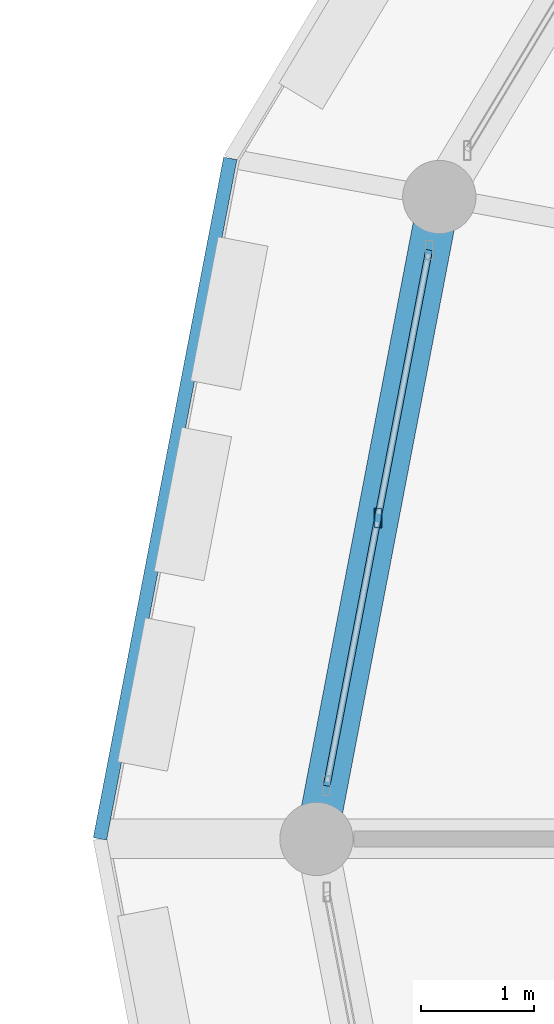
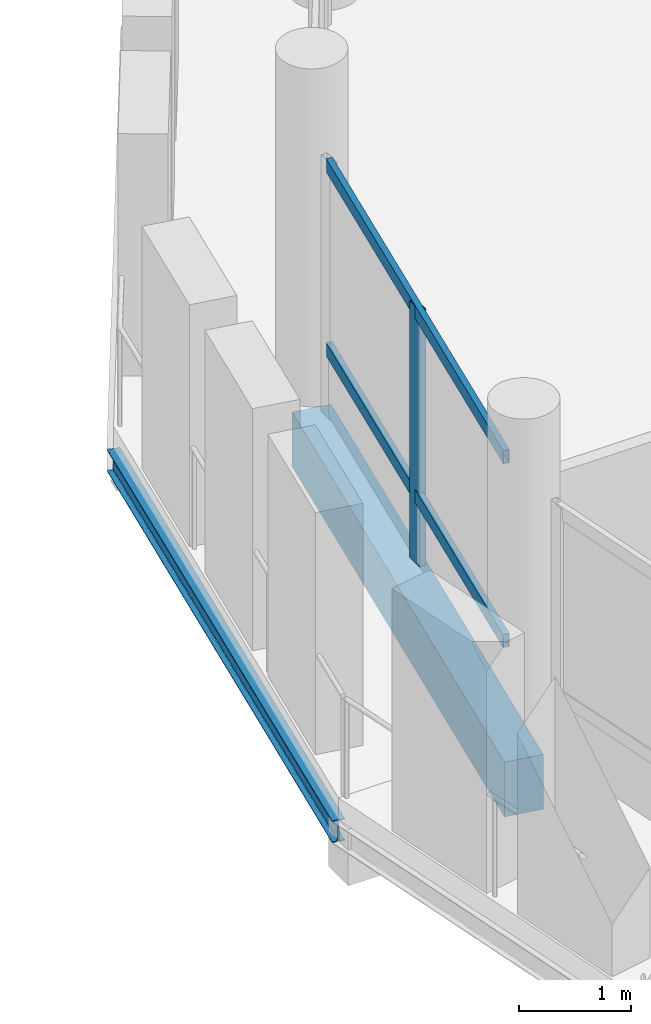
# One storey, part 18 of 84: 3 members, 2 beams, 1 element without a shape of its own.
"""IFC4 building model written with IfcOpenShell, lengths in metres."""

from ifc_helpers import new_model, si_unit, direction, frame, origin, origin_2d, place, context, subcontext, project, spatial, rectangle, hollow_rectangle, i_section, extrude, material, material_profile, profile_set, type_object, element, aggregate, save


model = new_model("IFC4")

# Units and contexts
model_context = context("Model", 3, precision=1e-05, world=origin(), true_north=direction((0.0, 1.0)))
body_context = subcontext(model_context, "Body", "Model", "MODEL_VIEW")
ifc_project = project(units=[si_unit("LENGTHUNIT", "METRE"), si_unit("AREAUNIT", "SQUARE_METRE"), si_unit("VOLUMEUNIT", "CUBIC_METRE"), si_unit("PLANEANGLEUNIT", "RADIAN"), si_unit("MASSUNIT", "GRAM", prefix="KILO")], contexts=[model_context])

# Site, building, storey
site_placement = place(None, origin())
site = spatial("IfcSite", under=ifc_project, at=site_placement, CompositionType="ELEMENT")
building_placement = place(site_placement, origin())
building = spatial("IfcBuilding", under=site, at=building_placement, Name="Zornivar Specialist Clinic", CompositionType="ELEMENT")
storey_placement = place(building_placement, frame((0.0, 0.0, 12.300048828125)))
storey = spatial("IfcBuildingStorey", under=building, at=storey_placement, Name="L03", CompositionType="ELEMENT", Elevation=12.300048828125)

# Beams
ifc_material_1 = material(Name="Concrete C30/37", Category="concrete")
ifc_material_profile_1 = material_profile(ifc_material_1, rectangle(XDim=0.3701171875, YDim=0.60009765625, at=origin_2d()), Name="RC 370x600")
ifc_profile_set_1 = profile_set([ifc_material_profile_1], Name="Concrete C30/37")
beam_type_1 = type_object("IfcBeamType", Name="BM-RC-SPANDREL-370x600", PredefinedType="SPANDREL", material=ifc_profile_set_1)
beam_1_placement = place(storey_placement, frame((62.68994140625, 63.2939453125, -0.5400390625), z_axis=(-0.187994479835, -0.982170084838, 0.0), x_axis=(0.982170084838, -0.187994479835, 0.0)))
element("IfcBeam", 1, at=beam_1_placement, inside=storey, type_object=beam_type_1, Name="bm:V1:L03:outring:11", PredefinedType="SPANDREL", context=body_context, shape_type="SweptSolid", body=[
    extrude(rectangle(XDim=0.3701171875, YDim=0.60009765625, at=origin_2d()), origin(), (0.0, 0.0, 1.0), 5.797119140625),
])
ifc_material_2 = material(Name="Steel S355J2", Category="steel")
ifc_material_profile_2 = material_profile(ifc_material_2, i_section(OverallWidth=0.1201171875, OverallDepth=0.239990234375, WebThickness=0.006103515625, FlangeThickness=0.009765625, FilletRadius=0.014892578125, at=origin_2d()), Name="IPE 240")
ifc_profile_set_2 = profile_set([ifc_material_profile_2], Name="Steel S355J2")
beam_type_2 = type_object("IfcBeamType", Name="BM-STL-IPE240", PredefinedType="JOIST", material=ifc_profile_set_2)
beam_2_placement = place(storey_placement, frame((60.8359375, 63.635986328125, -0.360107421875), z_axis=(-0.188103253611, -0.982149258505, 0.0), x_axis=(0.982149258505, -0.188103253611, 0.0)))
element("IfcBeam", 2, at=beam_2_placement, inside=storey, type_object=beam_type_2, Name="bm:V1:L03:balring:11", PredefinedType="JOIST", context=body_context, shape_type="SweptSolid", body=[
    extrude(i_section(OverallWidth=0.1201171875, OverallDepth=0.239990234375, WebThickness=0.006103515625, FlangeThickness=0.009765625, FilletRadius=0.014892578125, at=origin_2d()), origin(), (0.0, 0.0, 1.0), 6.1455078125),
])

# Curtain wall, members
ifc_material_3 = material(Name="Aluminium and Low-E Glass Curtain Wall", Category="aluminium")
curtain_wall_type = type_object("IfcCurtainWallType", Name="CW-DRUM-FACET", PredefinedType="NOTDEFINED", material=ifc_material_3)
curtain_wall_placement = place(storey_placement, origin())
curtain_wall = element("IfcCurtainWall", 3, at=curtain_wall_placement, inside=storey, type_object=curtain_wall_type, Name="cw:V1:L03:c11", PredefinedType="NOTDEFINED")
ifc_material_4 = material(Name="Aluminium AW-6060", Category="aluminium")
ifc_material_profile_3 = material_profile(ifc_material_4, hollow_rectangle(XDim=0.06494140625, YDim=0.175048828125, WallThickness=0.00439453125, at=origin_2d()), Name="ALU 65x175x4.5")
ifc_profile_set_3 = profile_set([ifc_material_profile_3], Name="Aluminium AW-6060")
member_type_1 = type_object("IfcMemberType", Name="CWM-MUL-175", PredefinedType="MULLION", material=ifc_profile_set_3)
member_1_placement = place(storey_placement, frame((62.14501953125, 60.447021484375, 0.0), z_axis=(0.0, 0.0, 1.0), x_axis=(1.0, 0.0, 0.0)))
member_1 = element("IfcMember", 4, at=member_1_placement, type_object=member_type_1, Name="cw:V1:L03:c11:mul:1", PredefinedType="MULLION", context=body_context, shape_type="SweptSolid", body=[
    extrude(hollow_rectangle(XDim=0.06494140625, YDim=0.175048828125, WallThickness=0.00439453125, at=origin_2d()), origin(), (0.0, 0.0, 1.0), 2.81005859375),
])
ifc_material_5 = material(Name="Aluminium AW-6060", Category="aluminium")
ifc_material_profile_4 = material_profile(ifc_material_5, hollow_rectangle(XDim=0.06005859375, YDim=0.14501953125, WallThickness=0.00390625, at=origin_2d()), Name="ALU 60x145x4")
ifc_profile_set_4 = profile_set([ifc_material_profile_4], Name="Aluminium AW-6060")
member_type_2 = type_object("IfcMemberType", Name="CWM-TRN-145", PredefinedType="USERDEFINED", material=ifc_profile_set_4)
member_2_placement = place(storey_placement, frame((62.59912109375, 62.822998046875, 0.73095703125), z_axis=(-0.187724259088, -0.982221768518, 0.0), x_axis=(0.982221768518, -0.187724259088, 0.0)))
member_2 = element("IfcMember", 5, at=member_2_placement, type_object=member_type_2, Name="cw:V1:L03:c11:trn:0", ObjectType="TRANSOM", PredefinedType="USERDEFINED", context=body_context, shape_type="SweptSolid", body=[
    extrude(hollow_rectangle(XDim=0.06005859375, YDim=0.14501953125, WallThickness=0.00390625, at=origin_2d()), origin(), (0.0, 0.0, 1.0), 4.837890625),
])
member_3_placement = place(storey_placement, frame((62.59912109375, 62.822998046875, 2.744873046875), z_axis=(-0.187724259088, -0.982221768518, 0.0), x_axis=(0.982221768518, -0.187724259088, 0.0)))
member_3 = element("IfcMember", 6, at=member_3_placement, type_object=member_type_2, Name="cw:V1:L03:c11:trn:1", ObjectType="TRANSOM", PredefinedType="USERDEFINED", context=body_context, shape_type="SweptSolid", body=[
    extrude(hollow_rectangle(XDim=0.06005859375, YDim=0.14501953125, WallThickness=0.00390625, at=origin_2d()), origin(), (0.0, 0.0, 1.0), 4.837890625),
])
aggregate(curtain_wall, [member_1, member_2, member_3])

save(model, "model.ifc")
